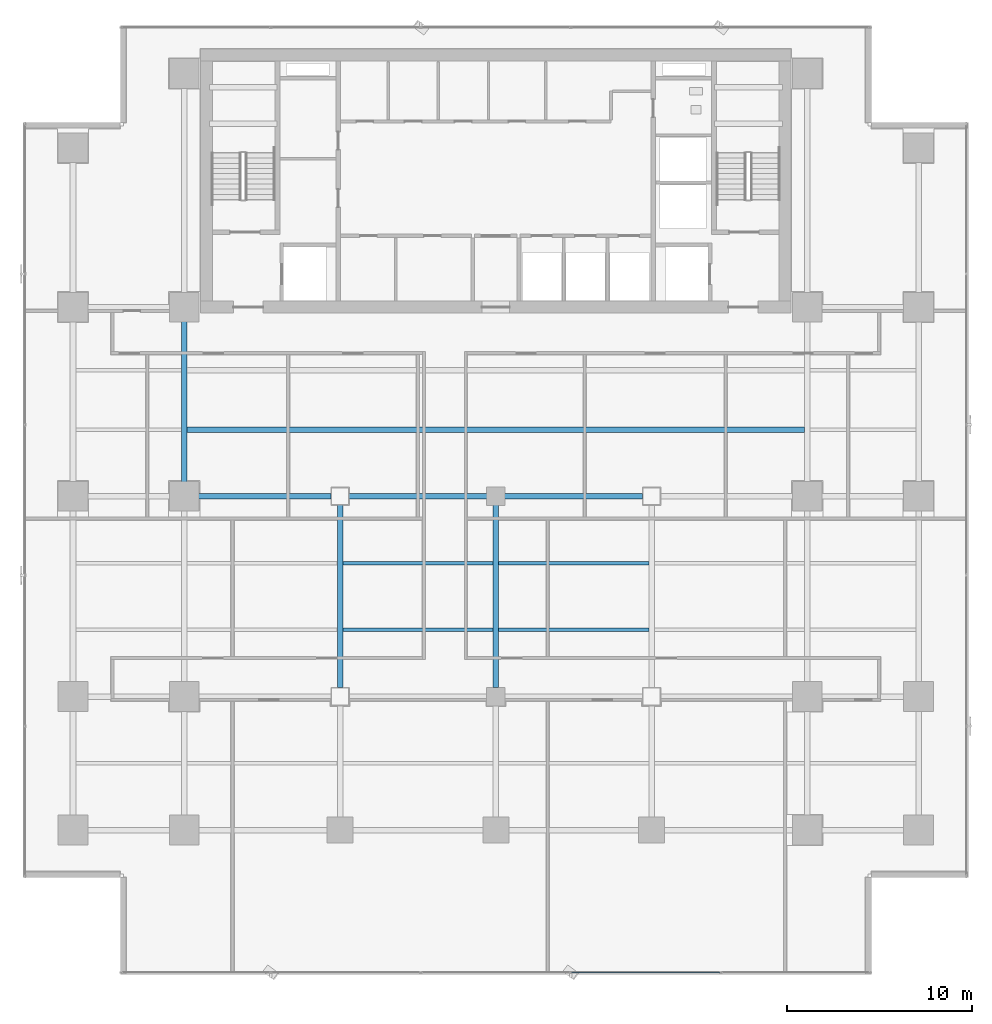
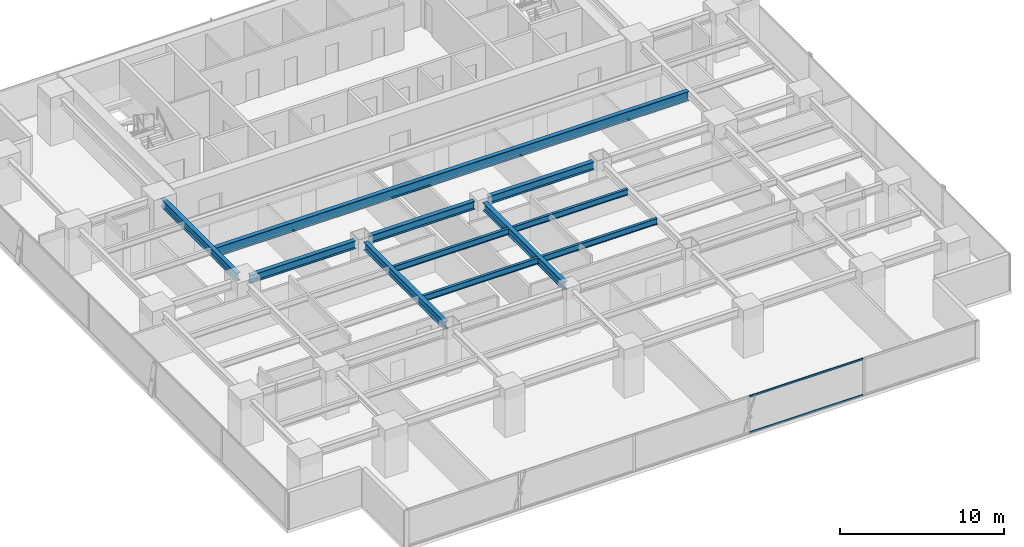
# One storey, part 11 of 36: 11 beams, 2 members, 1 element without a shape of its own.
"""IFC4 building model written with IfcOpenShell, lengths in metres."""

from ifc_helpers import new_model, si_unit, direction, frame, origin, origin_2d, place, context, subcontext, project, spatial, hollow_rectangle, i_section, extrude, source, transform, mapped, material, layer, layer_set, material_profile, profile_set, type_object, element, aggregate, save


model = new_model("IFC4")

# Units and contexts
model_context = context("Model", 3, precision=1e-05, world=origin(), true_north=direction((0.0, 1.0)))
body_context = subcontext(model_context, "Body", "Model", "MODEL_VIEW")
ifc_project = project(units=[si_unit("LENGTHUNIT", "METRE"), si_unit("AREAUNIT", "SQUARE_METRE"), si_unit("VOLUMEUNIT", "CUBIC_METRE"), si_unit("PLANEANGLEUNIT", "RADIAN"), si_unit("MASSUNIT", "GRAM", prefix="KILO")], contexts=[model_context])

# Site, building, storey
site_placement = place(None, origin())
site = spatial("IfcSite", under=ifc_project, at=site_placement, CompositionType="ELEMENT")
building_placement = place(site_placement, origin())
building = spatial("IfcBuilding", under=site, at=building_placement, Name="Sumidabori Civic Tower", CompositionType="ELEMENT")
storey_placement = place(building_placement, frame((0.0, 0.0, 92.0)))
storey = spatial("IfcBuildingStorey", under=building, at=storey_placement, Name="L23", CompositionType="ELEMENT", Elevation=92.0)

# Beams
ifc_material_1 = material(Name="Steel SN490", Category="steel")
ifc_material_profile_1 = material_profile(ifc_material_1, i_section(OverallWidth=0.300048828125, OverallDepth=0.60009765625, WebThickness=0.015380859375, FlangeThickness=0.030029296875, at=origin_2d()), Name="HE 600 B")
ifc_profile_set_1 = profile_set([ifc_material_profile_1], Name="Steel SN490")
beam_type_1 = type_object("IfcBeamType", Name="BM-GIRD-600", PredefinedType="BEAM", material=ifc_profile_set_1)
shared_shape_1 = source(origin(), body_context, "Body", "SweptSolid", [
    extrude(i_section(OverallWidth=0.300048828125, OverallDepth=0.60009765625, WebThickness=0.015380859375, FlangeThickness=0.030029296875, at=origin_2d()), origin(), (0.0, 0.0, 1.0), 7.440185546875),
])
beam_1_placement = place(storey_placement, frame((-16.320068359375, 0.0, 3.06005859375), z_axis=(1.0, 0.0, 0.0), x_axis=(0.0, 1.0, 0.0)))
element("IfcBeam", 1, at=beam_1_placement, inside=storey, type_object=beam_type_1, Name="Primary Girder L23 GX-14", PredefinedType="BEAM", context=body_context, shape_type="MappedRepresentation", body=[
    mapped(shared_shape_1, transform((0.0, 0.0, 0.0), x_axis=(1.0, 0.0, 0.0), y_axis=(0.0, 1.0, 0.0), z_axis=(0.0, 0.0, 1.0), scale=1.0)),
])
shared_shape_2 = source(origin(), body_context, "Body", "SweptSolid", [
    extrude(i_section(OverallWidth=0.300048828125, OverallDepth=0.60009765625, WebThickness=0.015380859375, FlangeThickness=0.030029296875, at=origin_2d()), origin(), (0.0, 0.0, 1.0), 7.43994140625),
])
for number, where, z_axis, x_axis, name in (
    (2, (-7.919921875, 0.0, 3.06005859375), (1.0, 0.0, 0.0), (0.0, 1.0, 0.0), "Primary Girder L23 GX-15"),
    (3, (0.47998046875, 0.0, 3.06005859375), (1.0, 0.0, 0.0), (0.0, 1.0, 0.0), "Primary Girder L23 GX-16"),
):
    element("IfcBeam", number, at=place(storey_placement, frame(where, z_axis=z_axis, x_axis=x_axis)), inside=storey, type_object=beam_type_1, Name=name, PredefinedType="BEAM", context=body_context, shape_type="MappedRepresentation", body=[
        mapped(shared_shape_2, transform((0.0, 0.0, 0.0), x_axis=(1.0, 0.0, 0.0), y_axis=(0.0, 1.0, 0.0), z_axis=(0.0, 0.0, 1.0), scale=1.0)),
    ])
shared_shape_3 = source(origin(), body_context, "Body", "SweptSolid", [
    extrude(i_section(OverallWidth=0.300048828125, OverallDepth=0.60009765625, WebThickness=0.015380859375, FlangeThickness=0.030029296875, at=origin_2d()), origin(), (0.0, 0.0, 1.0), 9.840087890625),
])
for number, where, z_axis, x_axis, name in (
    (4, (-8.39990234375, -10.320068359375, 3.06005859375), (0.0, 1.0, 0.0), (-1.0, 0.0, 0.0), "Primary Girder L23 GY-30"),
    (5, (0.0, -10.320068359375, 3.06005859375), (0.0, 1.0, 0.0), (-1.0, 0.0, 0.0), "Primary Girder L23 GY-32"),
):
    element("IfcBeam", number, at=place(storey_placement, frame(where, z_axis=z_axis, x_axis=x_axis)), inside=storey, type_object=beam_type_1, Name=name, PredefinedType="BEAM", context=body_context, shape_type="MappedRepresentation", body=[
        mapped(shared_shape_3, transform((0.0, 0.0, 0.0), x_axis=(1.0, 0.0, 0.0), y_axis=(0.0, 1.0, 0.0), z_axis=(0.0, 0.0, 1.0), scale=1.0)),
    ])
shared_shape_4 = source(origin(), body_context, "Body", "SweptSolid", [
    extrude(i_section(OverallWidth=0.300048828125, OverallDepth=0.60009765625, WebThickness=0.015380859375, FlangeThickness=0.030029296875, at=origin_2d()), origin(), (0.0, 0.0, 1.0), 9.239990234375),
])
beam_2_placement = place(storey_placement, frame((-16.800048828125, 0.47998046875, 3.06005859375), z_axis=(0.0, 1.0, 0.0), x_axis=(-1.0, 0.0, 0.0)))
element("IfcBeam", 6, at=beam_2_placement, inside=storey, type_object=beam_type_1, Name="Primary Girder L23 GY-27", PredefinedType="BEAM", context=body_context, shape_type="MappedRepresentation", body=[
    mapped(shared_shape_4, transform((0.0, 0.0, 0.0), x_axis=(1.0, 0.0, 0.0), y_axis=(0.0, 1.0, 0.0), z_axis=(0.0, 0.0, 1.0), scale=1.0)),
])
ifc_material_profile_2 = material_profile(ifc_material_1, i_section(OverallWidth=0.300048828125, OverallDepth=0.699951171875, WebThickness=0.01708984375, FlangeThickness=0.031982421875, at=origin_2d()), Name="HE 700 B")
ifc_profile_set_2 = profile_set([ifc_material_profile_2], Name="Steel SN490")
beam_type_2 = type_object("IfcBeamType", Name="BM-GIRD-700", PredefinedType="BEAM", material=ifc_profile_set_2)
shared_shape_5 = source(origin(), body_context, "Body", "SweptSolid", [
    extrude(i_section(OverallWidth=0.300048828125, OverallDepth=0.699951171875, WebThickness=0.01708984375, FlangeThickness=0.031982421875, at=origin_2d()), origin(), (0.0, 0.0, 1.0), 33.2998046875),
])
beam_3_placement = place(storey_placement, frame((-16.64990234375, 3.60009765625, 3.010009765625), z_axis=(1.0, 0.0, 0.0), x_axis=(0.0, 1.0, 0.0)))
element("IfcBeam", 7, at=beam_3_placement, inside=storey, type_object=beam_type_2, Name="North Bay Floor Beam L23 JSTN-53", PredefinedType="BEAM", context=body_context, shape_type="MappedRepresentation", body=[
    mapped(shared_shape_5, transform((0.0, 0.0, 0.0), x_axis=(1.0, 0.0, 0.0), y_axis=(0.0, 1.0, 0.0), z_axis=(0.0, 0.0, 1.0), scale=1.0)),
])
ifc_material_profile_3 = material_profile(ifc_material_1, i_section(OverallWidth=0.18994140625, OverallDepth=0.449951171875, WebThickness=0.009521484375, FlangeThickness=0.0146484375, at=origin_2d()), Name="IPE 450")
ifc_profile_set_3 = profile_set([ifc_material_profile_3], Name="Steel SN490")
beam_type_3 = type_object("IfcBeamType", Name="BM-JST-450", PredefinedType="JOIST", material=ifc_profile_set_3)
shared_shape_6 = source(origin(), body_context, "Body", "SweptSolid", [
    extrude(i_section(OverallWidth=0.18994140625, OverallDepth=0.449951171875, WebThickness=0.009521484375, FlangeThickness=0.0146484375, at=origin_2d()), origin(), (0.0, 0.0, 1.0), 8.10009765625),
])
for number, where, z_axis, x_axis, name in (
    (8, (-8.25, -7.199951171875, 3.135009765625), (1.0, 0.0, 0.0), (0.0, 1.0, 0.0), "South Bay Floor Joist L23 JSTS-60"),
    (9, (0.14990234375, -7.199951171875, 3.135009765625), (1.0, 0.0, 0.0), (0.0, 1.0, 0.0), "South Bay Floor Joist L23 JSTS-61"),
    (10, (-8.25, -3.60009765625, 3.135009765625), (1.0, 0.0, 0.0), (0.0, 1.0, 0.0), "South Bay Floor Joist L23 JSTS-64"),
    (11, (0.14990234375, -3.60009765625, 3.135009765625), (1.0, 0.0, 0.0), (0.0, 1.0, 0.0), "South Bay Floor Joist L23 JSTS-65"),
):
    element("IfcBeam", number, at=place(storey_placement, frame(where, z_axis=z_axis, x_axis=x_axis)), inside=storey, type_object=beam_type_3, Name=name, PredefinedType="JOIST", context=body_context, shape_type="MappedRepresentation", body=[
        mapped(shared_shape_6, transform((0.0, 0.0, 0.0), x_axis=(1.0, 0.0, 0.0), y_axis=(0.0, 1.0, 0.0), z_axis=(0.0, 0.0, 1.0), scale=1.0)),
    ])

# Curtain wall, members
ifc_material_2 = material(Name="Anodised Bronze Aluminium AW-6063-T6", Category="aluminium")
ifc_layer = layer(ifc_material_2, 0.179931640625, Name="Anodised Bronze Aluminium AW-6063-T6")
ifc_layer_set = layer_set([ifc_layer], Name="Anodised Bronze Aluminium AW-6063-T6")
curtain_wall_type = type_object("IfcCurtainWallType", Name="CW-SYS-3", PredefinedType="NOTDEFINED", material=ifc_layer_set)
curtain_wall_placement = place(storey_placement, origin())
curtain_wall = element("IfcCurtainWall", 12, at=curtain_wall_placement, inside=storey, type_object=curtain_wall_type, Name="Curtain Wall CW:L23:R01", PredefinedType="NOTDEFINED")
ifc_material_profile_4 = material_profile(ifc_material_2, hollow_rectangle(XDim=0.06005859375, YDim=0.1298828125, WallThickness=0.0048828125, at=origin_2d()), Name="ALU TRANSOM 130x60")
ifc_profile_set_4 = profile_set([ifc_material_profile_4], Name="Anodised Bronze Aluminium AW-6063-T6")
member_type = type_object("IfcMemberType", Name="CW-TRN-130", PredefinedType="USERDEFINED", material=ifc_profile_set_4)
shared_shape_7 = source(origin(), body_context, "Body", "SweptSolid", [
    extrude(hollow_rectangle(XDim=0.06005859375, YDim=0.1298828125, WallThickness=0.0048828125, at=origin_2d()), origin(), (0.0, 0.0, 1.0), 8.023193359375),
])
member_1_placement = place(storey_placement, frame((4.076416015625, -25.679931640625, 0.030029296875), z_axis=(1.0, 0.0, 0.0), x_axis=(0.0, 1.0, 0.0)))
member_1 = element("IfcMember", 13, at=member_1_placement, type_object=member_type, Name="CW-3 transom 4.1", ObjectType="TRANSOM", PredefinedType="USERDEFINED", context=body_context, shape_type="MappedRepresentation", body=[
    mapped(shared_shape_7, transform((0.0, 0.0, 0.0), x_axis=(1.0, 0.0, 0.0), y_axis=(0.0, 1.0, 0.0), z_axis=(0.0, 0.0, 1.0), scale=1.0)),
])
member_2_placement = place(storey_placement, frame((4.076416015625, -25.679931640625, 2.7099609375), z_axis=(1.0, 0.0, 0.0), x_axis=(0.0, 1.0, 0.0)))
member_2 = element("IfcMember", 14, at=member_2_placement, type_object=member_type, Name="CW-3 transom 4.2", ObjectType="TRANSOM", PredefinedType="USERDEFINED", context=body_context, shape_type="MappedRepresentation", body=[
    mapped(shared_shape_7, transform((0.0, 0.0, 0.0), x_axis=(1.0, 0.0, 0.0), y_axis=(0.0, 1.0, 0.0), z_axis=(0.0, 0.0, 1.0), scale=1.0)),
])
aggregate(curtain_wall, [member_1, member_2])

save(model, "model.ifc")
